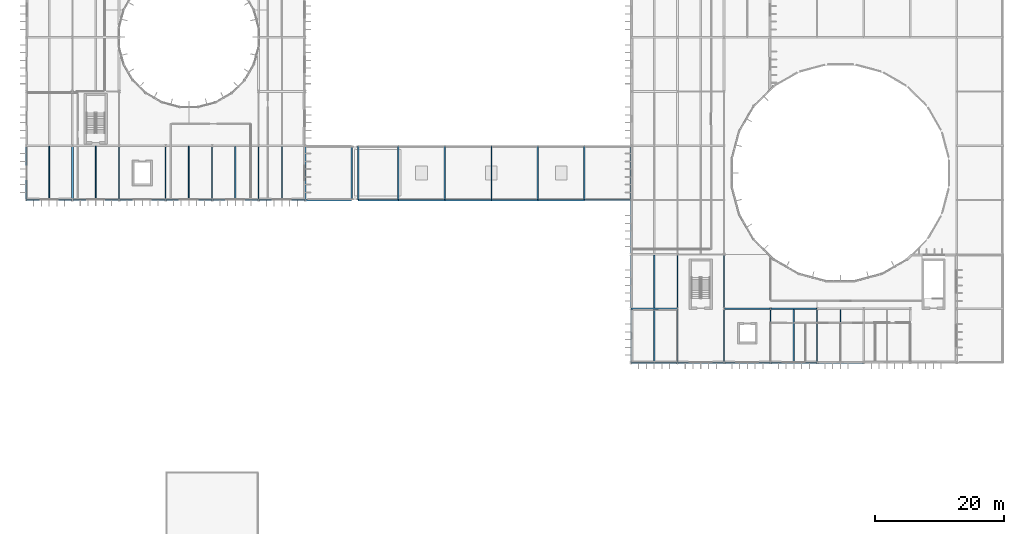
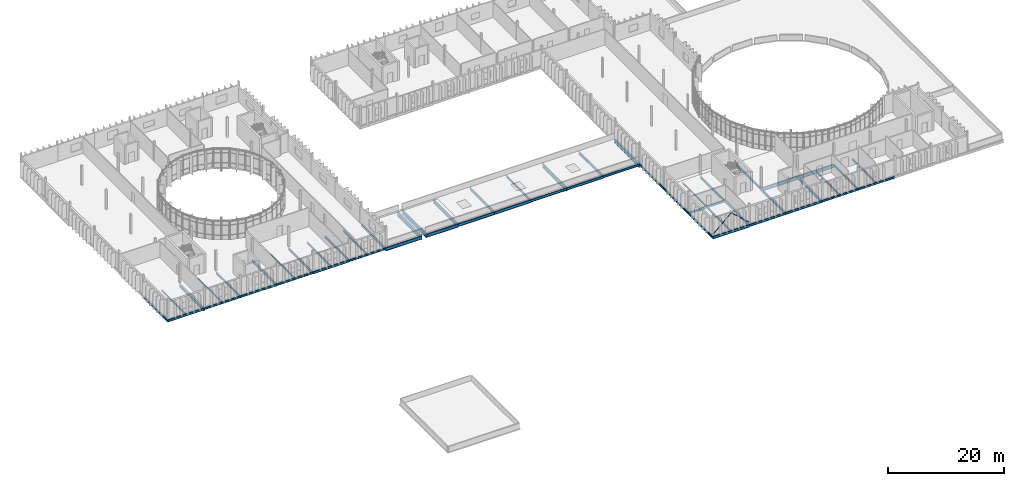
# One storey, part 16 of 61: 54 beams, 2 members.
"""IFC4 building model written with IfcOpenShell, lengths in metres."""

from ifc_helpers import new_model, si_unit, direction, frame, origin, origin_2d, place, context, subcontext, project, spatial, hollow_circle, i_section, extrude, material, material_profile, profile_set, type_object, element, save


model = new_model("IFC4")

# Units and contexts
model_context = context("Model", 3, precision=1e-05, world=origin(), true_north=direction((0.0, 1.0)))
body_context = subcontext(model_context, "Body", "Model", "MODEL_VIEW")
ifc_project = project(units=[si_unit("LENGTHUNIT", "METRE"), si_unit("AREAUNIT", "SQUARE_METRE"), si_unit("VOLUMEUNIT", "CUBIC_METRE"), si_unit("PLANEANGLEUNIT", "RADIAN"), si_unit("MASSUNIT", "GRAM", prefix="KILO")], contexts=[model_context])

# Site, building, storey
site_placement = place(None, origin())
site = spatial("IfcSite", under=ifc_project, at=site_placement, CompositionType="ELEMENT")
building_placement = place(site_placement, origin())
building = spatial("IfcBuilding", under=site, at=building_placement, Name="Qelthora Terrace Specialist Clinic", CompositionType="ELEMENT")
storey_placement = place(building_placement, frame((0.0, 0.0, 13.199951171875)))
storey = spatial("IfcBuildingStorey", under=building, at=storey_placement, Name="L03", CompositionType="ELEMENT", Elevation=13.199951171875)

# Beams
ifc_material = material(Name="Steel S355", Category="steel")
ifc_material_profile_1 = material_profile(ifc_material, i_section(OverallWidth=0.178955078125, OverallDepth=0.409912109375, WebThickness=0.0087890625, FlangeThickness=0.014404296875, FilletRadius=0.011962890625, at=origin_2d()), Name="W410X67")
ifc_profile_set_1 = profile_set([ifc_material_profile_1], Name="Steel S355")
beam_type_1 = type_object("IfcBeamType", Name="BM-W410X67", PredefinedType="BEAM", material=ifc_profile_set_1)
beam_1_placement = place(storey_placement, frame((122.39990234375, 33.60009765625, -0.454833984375), z_axis=(1.0, 0.0, 0.0), x_axis=(0.0, 1.0, 0.0)))
element("IfcBeam", 1, at=beam_1_placement, inside=storey, type_object=beam_type_1, Name="Girder BMX-L03-0920", PredefinedType="BEAM", context=body_context, shape_type="SweptSolid", body=[
    extrude(i_section(OverallWidth=0.178955078125, OverallDepth=0.409912109375, WebThickness=0.0087890625, FlangeThickness=0.014404296875, FilletRadius=0.011962890625, at=origin_2d()), origin(), (0.0, 0.0, 1.0), 7.2001953125),
])
for number, where, z_axis, x_axis, name in (
    (2, (93.60009765625, 42.0, -0.454833984375), (1.0, 0.0, 0.0), (0.0, 1.0, 0.0), "Girder BMX-L03-0924"),
    (3, (7.199951171875, 58.800048828125, -0.454833984375), (1.0, 0.0, 0.0), (0.0, 1.0, 0.0), "Girder BMX-L03-0934"),
    (4, (21.60009765625, 58.800048828125, -0.454833984375), (1.0, 0.0, 0.0), (0.0, 1.0, 0.0), "Girder BMX-L03-0936"),
    (5, (36.0, 58.800048828125, -0.454833984375), (1.0, 0.0, 0.0), (0.0, 1.0, 0.0), "Girder BMX-L03-0938"),
):
    element("IfcBeam", number, at=place(storey_placement, frame(where, z_axis=z_axis, x_axis=x_axis)), inside=storey, type_object=beam_type_1, Name=name, PredefinedType="BEAM", context=body_context, shape_type="SweptSolid", body=[
        extrude(i_section(OverallWidth=0.178955078125, OverallDepth=0.409912109375, WebThickness=0.0087890625, FlangeThickness=0.014404296875, FilletRadius=0.011962890625, at=origin_2d()), origin(), (0.0, 0.0, 1.0), 7.199951171875),
    ])
beam_2_placement = place(storey_placement, frame((93.60009765625, 50.39990234375, -0.454833984375), z_axis=(0.0, 1.0, 0.0), x_axis=(-1.0, 0.0, 0.0)))
element("IfcBeam", 6, at=beam_2_placement, inside=storey, type_object=beam_type_1, Name="Girder BMY-L03-1080", PredefinedType="BEAM", context=body_context, shape_type="SweptSolid", body=[
    extrude(i_section(OverallWidth=0.178955078125, OverallDepth=0.409912109375, WebThickness=0.0087890625, FlangeThickness=0.014404296875, FilletRadius=0.011962890625, at=origin_2d()), origin(), (0.0, 0.0, 1.0), 8.400146484375),
])
ifc_material_profile_2 = material_profile(ifc_material, i_section(OverallWidth=0.179931640625, OverallDepth=0.4130859375, WebThickness=0.009765625, FlangeThickness=0.01611328125, FilletRadius=0.011962890625, at=origin_2d()), Name="W410X75")
ifc_profile_set_2 = profile_set([ifc_material_profile_2], Name="Steel S355")
beam_type_2 = type_object("IfcBeamType", Name="BM-W410X75", PredefinedType="BEAM", material=ifc_profile_set_2)
beam_3_placement = place(storey_placement, frame((115.199951171875, 33.60009765625, -0.45654296875), z_axis=(1.0, 0.0, 0.0), x_axis=(0.0, 1.0, 0.0)))
element("IfcBeam", 7, at=beam_3_placement, inside=storey, type_object=beam_type_2, Name="Girder BMX-L03-0919", PredefinedType="BEAM", context=body_context, shape_type="SweptSolid", body=[
    extrude(i_section(OverallWidth=0.179931640625, OverallDepth=0.4130859375, WebThickness=0.009765625, FlangeThickness=0.01611328125, FilletRadius=0.011962890625, at=origin_2d()), origin(), (0.0, 0.0, 1.0), 7.199951171875),
])
beam_4_placement = place(storey_placement, frame((14.39990234375, 58.800048828125, -0.45654296875), z_axis=(1.0, 0.0, 0.0), x_axis=(0.0, 1.0, 0.0)))
element("IfcBeam", 8, at=beam_4_placement, inside=storey, type_object=beam_type_2, Name="Girder BMX-L03-0935", PredefinedType="BEAM", context=body_context, shape_type="SweptSolid", body=[
    extrude(i_section(OverallWidth=0.179931640625, OverallDepth=0.4130859375, WebThickness=0.009765625, FlangeThickness=0.01611328125, FilletRadius=0.011962890625, at=origin_2d()), origin(), (0.0, 0.0, 1.0), 7.2001953125),
])
for number, where, z_axis, x_axis, name in (
    (9, (14.39990234375, 58.800048828125, -0.45654296875), (0.0, 1.0, 0.0), (-1.0, 0.0, 0.0), "Girder BMY-L03-1039"),
    (10, (36.0, 58.800048828125, -0.45654296875), (0.0, 1.0, 0.0), (-1.0, 0.0, 0.0), "Girder BMY-L03-1049"),
    (11, (72.0, 58.800048828125, -0.45654296875), (0.0, 1.0, 0.0), (-1.0, 0.0, 0.0), "Girder BMY-L03-1069"),
    (12, (93.60009765625, 42.0, -0.45654296875), (0.0, 1.0, 0.0), (-1.0, 0.0, 0.0), "Girder BMY-L03-1079"),
    (13, (122.39990234375, 33.60009765625, -0.45654296875), (0.0, 1.0, 0.0), (-1.0, 0.0, 0.0), "Girder BMY-L03-1109"),
):
    element("IfcBeam", number, at=place(storey_placement, frame(where, z_axis=z_axis, x_axis=x_axis)), inside=storey, type_object=beam_type_2, Name=name, PredefinedType="BEAM", context=body_context, shape_type="SweptSolid", body=[
        extrude(i_section(OverallWidth=0.179931640625, OverallDepth=0.4130859375, WebThickness=0.009765625, FlangeThickness=0.01611328125, FilletRadius=0.011962890625, at=origin_2d()), origin(), (0.0, 0.0, 1.0), 8.39990234375),
    ])
ifc_material_profile_3 = material_profile(ifc_material, i_section(OverallWidth=0.19091796875, OverallDepth=0.4599609375, WebThickness=0.010009765625, FlangeThickness=0.01611328125, FilletRadius=0.012939453125, at=origin_2d()), Name="W460X82")
ifc_profile_set_3 = profile_set([ifc_material_profile_3], Name="Steel S355")
beam_type_3 = type_object("IfcBeamType", Name="BM-W460X82", PredefinedType="BEAM", material=ifc_profile_set_3)
for number, where, z_axis, x_axis, name in (
    (14, (108.0, 33.60009765625, -0.47998046875), (1.0, 0.0, 0.0), (0.0, 1.0, 0.0), "Girder BMX-L03-0918"),
    (15, (28.800048828125, 58.800048828125, -0.47998046875), (1.0, 0.0, 0.0), (0.0, 1.0, 0.0), "Girder BMX-L03-0937"),
):
    element("IfcBeam", number, at=place(storey_placement, frame(where, z_axis=z_axis, x_axis=x_axis)), inside=storey, type_object=beam_type_3, Name=name, PredefinedType="BEAM", context=body_context, shape_type="SweptSolid", body=[
        extrude(i_section(OverallWidth=0.19091796875, OverallDepth=0.4599609375, WebThickness=0.010009765625, FlangeThickness=0.01611328125, FilletRadius=0.012939453125, at=origin_2d()), origin(), (0.0, 0.0, 1.0), 7.199951171875),
    ])
for number, where, z_axis, x_axis, name in (
    (16, (93.60009765625, 33.60009765625, -0.47998046875), (0.0, 1.0, 0.0), (-1.0, 0.0, 0.0), "Girder BMY-L03-1078"),
    (17, (100.800048828125, 42.0, -0.47998046875), (0.0, 1.0, 0.0), (-1.0, 0.0, 0.0), "Girder BMY-L03-1088"),
):
    element("IfcBeam", number, at=place(storey_placement, frame(where, z_axis=z_axis, x_axis=x_axis)), inside=storey, type_object=beam_type_3, Name=name, PredefinedType="BEAM", context=body_context, shape_type="SweptSolid", body=[
        extrude(i_section(OverallWidth=0.19091796875, OverallDepth=0.4599609375, WebThickness=0.010009765625, FlangeThickness=0.01611328125, FilletRadius=0.012939453125, at=origin_2d()), origin(), (0.0, 0.0, 1.0), 8.39990234375),
    ])
ifc_material_profile_4 = material_profile(ifc_material, i_section(OverallWidth=0.193115234375, OverallDepth=0.466064453125, WebThickness=0.011474609375, FlangeThickness=0.01904296875, FilletRadius=0.012939453125, at=origin_2d()), Name="W460X97")
ifc_profile_set_4 = profile_set([ifc_material_profile_4], Name="Steel S355")
beam_type_4 = type_object("IfcBeamType", Name="BM-W460X97", PredefinedType="BEAM", material=ifc_profile_set_4)
beam_5_placement = place(storey_placement, frame((100.800048828125, 33.60009765625, -0.48291015625), z_axis=(1.0, 0.0, 0.0), x_axis=(0.0, 1.0, 0.0)))
element("IfcBeam", 18, at=beam_5_placement, inside=storey, type_object=beam_type_4, Name="Girder BMX-L03-0917", PredefinedType="BEAM", context=body_context, shape_type="SweptSolid", body=[
    extrude(i_section(OverallWidth=0.193115234375, OverallDepth=0.466064453125, WebThickness=0.011474609375, FlangeThickness=0.01904296875, FilletRadius=0.012939453125, at=origin_2d()), origin(), (0.0, 0.0, 1.0), 7.199951171875),
])
beam_6_placement = place(storey_placement, frame((86.39990234375, 58.800048828125, -0.48291015625), z_axis=(1.0, 0.0, 0.0), x_axis=(0.0, 1.0, 0.0)))
element("IfcBeam", 19, at=beam_6_placement, inside=storey, type_object=beam_type_4, Name="Girder BMX-L03-0945", PredefinedType="BEAM", context=body_context, shape_type="SweptSolid", body=[
    extrude(i_section(OverallWidth=0.193115234375, OverallDepth=0.466064453125, WebThickness=0.011474609375, FlangeThickness=0.01904296875, FilletRadius=0.012939453125, at=origin_2d()), origin(), (0.0, 0.0, 1.0), 7.2001953125),
])
for number, where, z_axis, x_axis, name in (
    (20, (0.0, 58.800048828125, -0.48291015625), (0.0, 1.0, 0.0), (-1.0, 0.0, 0.0), "Girder BMY-L03-1027"),
    (21, (28.800048828125, 58.800048828125, -0.48291015625), (0.0, 1.0, 0.0), (-1.0, 0.0, 0.0), "Girder BMY-L03-1047"),
    (22, (100.800048828125, 33.60009765625, -0.48291015625), (0.0, 1.0, 0.0), (-1.0, 0.0, 0.0), "Girder BMY-L03-1087"),
    (23, (108.0, 42.0, -0.48291015625), (0.0, 1.0, 0.0), (-1.0, 0.0, 0.0), "Girder BMY-L03-1097"),
):
    element("IfcBeam", number, at=place(storey_placement, frame(where, z_axis=z_axis, x_axis=x_axis)), inside=storey, type_object=beam_type_4, Name=name, PredefinedType="BEAM", context=body_context, shape_type="SweptSolid", body=[
        extrude(i_section(OverallWidth=0.193115234375, OverallDepth=0.466064453125, WebThickness=0.011474609375, FlangeThickness=0.01904296875, FilletRadius=0.012939453125, at=origin_2d()), origin(), (0.0, 0.0, 1.0), 8.39990234375),
    ])
ifc_material_profile_5 = material_profile(ifc_material, i_section(OverallWidth=0.2099609375, OverallDepth=0.537109375, WebThickness=0.010986328125, FlangeThickness=0.017333984375, FilletRadius=0.013916015625, at=origin_2d()), Name="W530X101")
ifc_profile_set_5 = profile_set([ifc_material_profile_5], Name="Steel S355")
beam_type_5 = type_object("IfcBeamType", Name="BM-W530X101", PredefinedType="BEAM", material=ifc_profile_set_5)
for number, where, z_axis, x_axis, name in (
    (24, (93.60009765625, 33.60009765625, -0.5185546875), (1.0, 0.0, 0.0), (0.0, 1.0, 0.0), "Girder BMX-L03-0916"),
    (25, (79.199951171875, 58.800048828125, -0.5185546875), (1.0, 0.0, 0.0), (0.0, 1.0, 0.0), "Girder BMX-L03-0944"),
):
    element("IfcBeam", number, at=place(storey_placement, frame(where, z_axis=z_axis, x_axis=x_axis)), inside=storey, type_object=beam_type_5, Name=name, PredefinedType="BEAM", context=body_context, shape_type="SweptSolid", body=[
        extrude(i_section(OverallWidth=0.2099609375, OverallDepth=0.537109375, WebThickness=0.010986328125, FlangeThickness=0.017333984375, FilletRadius=0.013916015625, at=origin_2d()), origin(), (0.0, 0.0, 1.0), 7.199951171875),
    ])
for number, where, z_axis, x_axis, name in (
    (26, (64.800048828125, 58.800048828125, -0.5185546875), (0.0, 1.0, 0.0), (-1.0, 0.0, 0.0), "Girder BMY-L03-1066"),
    (27, (108.0, 33.60009765625, -0.5185546875), (0.0, 1.0, 0.0), (-1.0, 0.0, 0.0), "Girder BMY-L03-1096"),
):
    element("IfcBeam", number, at=place(storey_placement, frame(where, z_axis=z_axis, x_axis=x_axis)), inside=storey, type_object=beam_type_5, Name=name, PredefinedType="BEAM", context=body_context, shape_type="SweptSolid", body=[
        extrude(i_section(OverallWidth=0.2099609375, OverallDepth=0.537109375, WebThickness=0.010986328125, FlangeThickness=0.017333984375, FilletRadius=0.013916015625, at=origin_2d()), origin(), (0.0, 0.0, 1.0), 8.39990234375),
    ])
ifc_material_profile_6 = material_profile(ifc_material, i_section(OverallWidth=0.2119140625, OverallDepth=0.5439453125, WebThickness=0.01318359375, FlangeThickness=0.021240234375, FilletRadius=0.013916015625, at=origin_2d()), Name="W530X123")
ifc_profile_set_6 = profile_set([ifc_material_profile_6], Name="Steel S355")
beam_type_6 = type_object("IfcBeamType", Name="BM-W530X123", PredefinedType="BEAM", material=ifc_profile_set_6)
beam_7_placement = place(storey_placement, frame((72.0, 58.800048828125, -0.52197265625), z_axis=(1.0, 0.0, 0.0), x_axis=(0.0, 1.0, 0.0)))
element("IfcBeam", 28, at=beam_7_placement, inside=storey, type_object=beam_type_6, Name="Girder BMX-L03-0943", PredefinedType="BEAM", context=body_context, shape_type="SweptSolid", body=[
    extrude(i_section(OverallWidth=0.2119140625, OverallDepth=0.5439453125, WebThickness=0.01318359375, FlangeThickness=0.021240234375, FilletRadius=0.013916015625, at=origin_2d()), origin(), (0.0, 0.0, 1.0), 7.199951171875),
])
for number, where, z_axis, x_axis, name in (
    (29, (21.60009765625, 58.800048828125, -0.52197265625), (0.0, 1.0, 0.0), (-1.0, 0.0, 0.0), "Girder BMY-L03-1045"),
    (30, (43.199951171875, 58.800048828125, -0.52197265625), (0.0, 1.0, 0.0), (-1.0, 0.0, 0.0), "Girder BMY-L03-1055"),
    (31, (86.39990234375, 58.800048828125, -0.52197265625), (0.0, 1.0, 0.0), (-1.0, 0.0, 0.0), "Girder BMY-L03-1075"),
    (32, (115.199951171875, 33.60009765625, -0.52197265625), (0.0, 1.0, 0.0), (-1.0, 0.0, 0.0), "Girder BMY-L03-1105"),
):
    element("IfcBeam", number, at=place(storey_placement, frame(where, z_axis=z_axis, x_axis=x_axis)), inside=storey, type_object=beam_type_6, Name=name, PredefinedType="BEAM", context=body_context, shape_type="SweptSolid", body=[
        extrude(i_section(OverallWidth=0.2119140625, OverallDepth=0.5439453125, WebThickness=0.01318359375, FlangeThickness=0.021240234375, FilletRadius=0.013916015625, at=origin_2d()), origin(), (0.0, 0.0, 1.0), 8.39990234375),
    ])
ifc_material_profile_7 = material_profile(ifc_material, i_section(OverallWidth=0.22900390625, OverallDepth=0.612060546875, WebThickness=0.011962890625, FlangeThickness=0.01953125, FilletRadius=0.01611328125, at=origin_2d()), Name="W610X125")
ifc_profile_set_7 = profile_set([ifc_material_profile_7], Name="Steel S355")
beam_type_7 = type_object("IfcBeamType", Name="BM-W610X125", PredefinedType="BEAM", material=ifc_profile_set_7)
beam_8_placement = place(storey_placement, frame((64.800048828125, 58.800048828125, -0.555908203125), z_axis=(1.0, 0.0, 0.0), x_axis=(0.0, 1.0, 0.0)))
element("IfcBeam", 33, at=beam_8_placement, inside=storey, type_object=beam_type_7, Name="Girder BMX-L03-0942", PredefinedType="BEAM", context=body_context, shape_type="SweptSolid", body=[
    extrude(i_section(OverallWidth=0.22900390625, OverallDepth=0.612060546875, WebThickness=0.011962890625, FlangeThickness=0.01953125, FilletRadius=0.01611328125, at=origin_2d()), origin(), (0.0, 0.0, 1.0), 7.199951171875),
])
ifc_material_profile_8 = material_profile(ifc_material, i_section(OverallWidth=0.22998046875, OverallDepth=0.616943359375, WebThickness=0.01318359375, FlangeThickness=0.022216796875, FilletRadius=0.01611328125, at=origin_2d()), Name="W610X140")
ifc_profile_set_8 = profile_set([ifc_material_profile_8], Name="Steel S355")
beam_type_8 = type_object("IfcBeamType", Name="BM-W610X140", PredefinedType="BEAM", material=ifc_profile_set_8)
beam_9_placement = place(storey_placement, frame((57.60009765625, 58.800048828125, -0.558349609375), z_axis=(1.0, 0.0, 0.0), x_axis=(0.0, 1.0, 0.0)))
element("IfcBeam", 34, at=beam_9_placement, inside=storey, type_object=beam_type_8, Name="Girder BMX-L03-0941", PredefinedType="BEAM", context=body_context, shape_type="SweptSolid", body=[
    extrude(i_section(OverallWidth=0.22998046875, OverallDepth=0.616943359375, WebThickness=0.01318359375, FlangeThickness=0.022216796875, FilletRadius=0.01611328125, at=origin_2d()), origin(), (0.0, 0.0, 1.0), 7.199951171875),
])
ifc_material_profile_9 = material_profile(ifc_material, i_section(OverallWidth=0.25390625, OverallDepth=0.68798828125, WebThickness=0.01318359375, FlangeThickness=0.02099609375, FilletRadius=0.01806640625, at=origin_2d()), Name="W690X152")
ifc_profile_set_9 = profile_set([ifc_material_profile_9], Name="Steel S355")
beam_type_9 = type_object("IfcBeamType", Name="BM-W690X152", PredefinedType="BEAM", material=ifc_profile_set_9)
beam_10_placement = place(storey_placement, frame((115.199951171875, 42.0, -0.593994140625), z_axis=(1.0, 0.0, 0.0), x_axis=(0.0, 1.0, 0.0)))
element("IfcBeam", 35, at=beam_10_placement, inside=storey, type_object=beam_type_9, Name="Girder BMX-L03-0926", PredefinedType="BEAM", context=body_context, shape_type="SweptSolid", body=[
    extrude(i_section(OverallWidth=0.25390625, OverallDepth=0.68798828125, WebThickness=0.01318359375, FlangeThickness=0.02099609375, FilletRadius=0.01806640625, at=origin_2d()), origin(), (0.0, 0.0, 1.0), 7.199951171875),
])
beam_11_placement = place(storey_placement, frame((51.39990234375, 58.800048828125, -0.593994140625), z_axis=(1.0, 0.0, 0.0), x_axis=(0.0, 1.0, 0.0)))
element("IfcBeam", 36, at=beam_11_placement, inside=storey, type_object=beam_type_9, Name="Girder BMX-L03-0940", PredefinedType="BEAM", context=body_context, shape_type="SweptSolid", body=[
    extrude(i_section(OverallWidth=0.25390625, OverallDepth=0.68798828125, WebThickness=0.01318359375, FlangeThickness=0.02099609375, FilletRadius=0.01806640625, at=origin_2d()), origin(), (0.0, 0.0, 1.0), 6.2001953125),
])
ifc_material_profile_10 = material_profile(ifc_material, i_section(OverallWidth=0.256103515625, OverallDepth=0.693115234375, WebThickness=0.014404296875, FlangeThickness=0.023681640625, FilletRadius=0.01806640625, at=origin_2d()), Name="W690X170")
ifc_profile_set_10 = profile_set([ifc_material_profile_10], Name="Steel S355")
beam_type_10 = type_object("IfcBeamType", Name="BM-W690X170", PredefinedType="BEAM", material=ifc_profile_set_10)
for number, where, z_axis, x_axis, name in (
    (37, (108.0, 42.0, -0.596435546875), (1.0, 0.0, 0.0), (0.0, 1.0, 0.0), "Girder BMX-L03-0925"),
    (38, (43.199951171875, 58.800048828125, -0.596435546875), (1.0, 0.0, 0.0), (0.0, 1.0, 0.0), "Girder BMX-L03-0939"),
):
    element("IfcBeam", number, at=place(storey_placement, frame(where, z_axis=z_axis, x_axis=x_axis)), inside=storey, type_object=beam_type_10, Name=name, PredefinedType="BEAM", context=body_context, shape_type="SweptSolid", body=[
        extrude(i_section(OverallWidth=0.256103515625, OverallDepth=0.693115234375, WebThickness=0.014404296875, FlangeThickness=0.023681640625, FilletRadius=0.01806640625, at=origin_2d()), origin(), (0.0, 0.0, 1.0), 7.199951171875),
    ])
for number, where, z_axis, x_axis, name in (
    (39, (7.199951171875, 58.800048828125, -0.596435546875), (0.0, 1.0, 0.0), (-1.0, 0.0, 0.0), "Girder BMY-L03-1033"),
    (40, (57.60009765625, 58.800048828125, -0.596435546875), (0.0, 1.0, 0.0), (-1.0, 0.0, 0.0), "Girder BMY-L03-1063"),
):
    element("IfcBeam", number, at=place(storey_placement, frame(where, z_axis=z_axis, x_axis=x_axis)), inside=storey, type_object=beam_type_10, Name=name, PredefinedType="BEAM", context=body_context, shape_type="SweptSolid", body=[
        extrude(i_section(OverallWidth=0.256103515625, OverallDepth=0.693115234375, WebThickness=0.014404296875, FlangeThickness=0.023681640625, FilletRadius=0.01806640625, at=origin_2d()), origin(), (0.0, 0.0, 1.0), 8.39990234375),
    ])
ifc_material_profile_11 = material_profile(ifc_material, i_section(OverallWidth=0.26806640625, OverallDepth=0.77001953125, WebThickness=0.015625, FlangeThickness=0.025390625, FilletRadius=0.01904296875, at=origin_2d()), Name="W760X196")
ifc_profile_set_11 = profile_set([ifc_material_profile_11], Name="Steel S355")
beam_type_11 = type_object("IfcBeamType", Name="BM-W760X196", PredefinedType="BEAM", material=ifc_profile_set_11)
for number, where, z_axis, x_axis, name in (
    (41, (51.39990234375, 58.800048828125, -0.635009765625), (0.0, 1.0, 0.0), (-1.0, 0.0, 0.0), "Girder BMY-L03-1062"),
    (42, (79.199951171875, 58.800048828125, -0.635009765625), (0.0, 1.0, 0.0), (-1.0, 0.0, 0.0), "Girder BMY-L03-1072"),
):
    element("IfcBeam", number, at=place(storey_placement, frame(where, z_axis=z_axis, x_axis=x_axis)), inside=storey, type_object=beam_type_11, Name=name, PredefinedType="BEAM", context=body_context, shape_type="SweptSolid", body=[
        extrude(i_section(OverallWidth=0.26806640625, OverallDepth=0.77001953125, WebThickness=0.015625, FlangeThickness=0.025390625, FilletRadius=0.01904296875, at=origin_2d()), origin(), (0.0, 0.0, 1.0), 8.39990234375),
    ])
ifc_material_profile_12 = material_profile(ifc_material, i_section(OverallWidth=0.2939453125, OverallDepth=0.85107421875, WebThickness=0.01611328125, FlangeThickness=0.02685546875, FilletRadius=0.02001953125, at=origin_2d()), Name="W840X226")
ifc_profile_set_12 = profile_set([ifc_material_profile_12], Name="Steel S355")
beam_type_12 = type_object("IfcBeamType", Name="BM-W840X226", PredefinedType="BEAM", material=ifc_profile_set_12)
for number, where, z_axis, x_axis, name in (
    (43, (50.39990234375, 58.800048828125, -0.675537109375), (0.0, 1.0, 0.0), (-1.0, 0.0, 0.0), "Girder BMY-L03-1061"),
    (44, (93.60009765625, 58.800048828125, -0.675537109375), (0.0, 1.0, 0.0), (-1.0, 0.0, 0.0), "Girder BMY-L03-1081"),
):
    element("IfcBeam", number, at=place(storey_placement, frame(where, z_axis=z_axis, x_axis=x_axis)), inside=storey, type_object=beam_type_12, Name=name, PredefinedType="BEAM", context=body_context, shape_type="SweptSolid", body=[
        extrude(i_section(OverallWidth=0.2939453125, OverallDepth=0.85107421875, WebThickness=0.01611328125, FlangeThickness=0.02685546875, FilletRadius=0.02001953125, at=origin_2d()), origin(), (0.0, 0.0, 1.0), 8.39990234375),
    ])
ifc_material_profile_13 = material_profile(ifc_material, i_section(OverallWidth=0.14599609375, OverallDepth=0.258056640625, WebThickness=0.006103515625, FlangeThickness=0.009033203125, FilletRadius=0.009033203125, at=origin_2d()), Name="W250X33")
ifc_profile_set_13 = profile_set([ifc_material_profile_13], Name="Steel S355")
beam_type_13 = type_object("IfcBeamType", Name="JST-W250X33", PredefinedType="JOIST", material=ifc_profile_set_13)
beam_12_placement = place(storey_placement, frame((3.60009765625, 58.8955078125, -0.37890625), z_axis=(0.0, 1.0, 0.0), x_axis=(-1.0, 0.0, 0.0)))
element("IfcBeam", 45, at=beam_12_placement, inside=storey, type_object=beam_type_13, Name="Composite floor joist JST-L03-0216", PredefinedType="JOIST", context=body_context, shape_type="SweptSolid", body=[
    extrude(i_section(OverallWidth=0.14599609375, OverallDepth=0.258056640625, WebThickness=0.006103515625, FlangeThickness=0.009033203125, FilletRadius=0.009033203125, at=origin_2d()), origin(), (0.0, 0.0, 1.0), 8.208984375),
])
beam_13_placement = place(storey_placement, frame((10.800048828125, 58.889404296875, -0.37890625), z_axis=(0.0, 1.0, 0.0), x_axis=(-1.0, 0.0, 0.0)))
element("IfcBeam", 46, at=beam_13_placement, inside=storey, type_object=beam_type_13, Name="Composite floor joist JST-L03-0222", PredefinedType="JOIST", context=body_context, shape_type="SweptSolid", body=[
    extrude(i_section(OverallWidth=0.14599609375, OverallDepth=0.258056640625, WebThickness=0.006103515625, FlangeThickness=0.009033203125, FilletRadius=0.009033203125, at=origin_2d()), origin(), (0.0, 0.0, 1.0), 8.22119140625),
])
ifc_material_profile_14 = material_profile(ifc_material, i_section(OverallWidth=0.14697265625, OverallDepth=0.261962890625, WebThickness=0.006591796875, FlangeThickness=0.01123046875, FilletRadius=0.009033203125, at=origin_2d()), Name="W250X39")
ifc_profile_set_14 = profile_set([ifc_material_profile_14], Name="Steel S355")
beam_type_14 = type_object("IfcBeamType", Name="JST-W250X39", PredefinedType="JOIST", material=ifc_profile_set_14)
beam_14_placement = place(storey_placement, frame((25.199951171875, 58.889404296875, -0.380859375), z_axis=(0.0, 1.0, 0.0), x_axis=(-1.0, 0.0, 0.0)))
element("IfcBeam", 47, at=beam_14_placement, inside=storey, type_object=beam_type_14, Name="Composite floor joist JST-L03-0227", PredefinedType="JOIST", context=body_context, shape_type="SweptSolid", body=[
    extrude(i_section(OverallWidth=0.14697265625, OverallDepth=0.261962890625, WebThickness=0.006591796875, FlangeThickness=0.01123046875, FilletRadius=0.009033203125, at=origin_2d()), origin(), (0.0, 0.0, 1.0), 8.22119140625),
])
ifc_material_profile_15 = material_profile(ifc_material, i_section(OverallWidth=0.1669921875, OverallDepth=0.31689453125, WebThickness=0.007568359375, FlangeThickness=0.01318359375, FilletRadius=0.010009765625, at=origin_2d()), Name="W310X52")
ifc_profile_set_15 = profile_set([ifc_material_profile_15], Name="Steel S355")
beam_type_15 = type_object("IfcBeamType", Name="JST-W310X52", PredefinedType="JOIST", material=ifc_profile_set_15)
beam_15_placement = place(storey_placement, frame((97.199951171875, 42.089599609375, -0.408447265625), z_axis=(0.0, 1.0, 0.0), x_axis=(-1.0, 0.0, 0.0)))
element("IfcBeam", 48, at=beam_15_placement, inside=storey, type_object=beam_type_15, Name="Composite floor joist JST-L03-0243", PredefinedType="JOIST", context=body_context, shape_type="SweptSolid", body=[
    extrude(i_section(OverallWidth=0.1669921875, OverallDepth=0.31689453125, WebThickness=0.007568359375, FlangeThickness=0.01318359375, FilletRadius=0.010009765625, at=origin_2d()), origin(), (0.0, 0.0, 1.0), 8.205322265625),
])
ifc_material_profile_16 = material_profile(ifc_material, i_section(OverallWidth=0.172119140625, OverallDepth=0.35791015625, WebThickness=0.0078125, FlangeThickness=0.01318359375, FilletRadius=0.010986328125, at=origin_2d()), Name="W360X57")
ifc_profile_set_16 = profile_set([ifc_material_profile_16], Name="Steel S355")
beam_type_16 = type_object("IfcBeamType", Name="JST-W360X57", PredefinedType="JOIST", material=ifc_profile_set_16)
beam_16_placement = place(storey_placement, frame((39.60009765625, 58.889404296875, -0.428955078125), z_axis=(0.0, 1.0, 0.0), x_axis=(-1.0, 0.0, 0.0)))
element("IfcBeam", 49, at=beam_16_placement, inside=storey, type_object=beam_type_16, Name="Composite floor joist JST-L03-0230", PredefinedType="JOIST", context=body_context, shape_type="SweptSolid", body=[
    extrude(i_section(OverallWidth=0.172119140625, OverallDepth=0.35791015625, WebThickness=0.0078125, FlangeThickness=0.01318359375, FilletRadius=0.010986328125, at=origin_2d()), origin(), (0.0, 0.0, 1.0), 8.18359375),
])
beam_17_placement = place(storey_placement, frame((97.199951171875, 33.705078125, -0.428955078125), z_axis=(0.0, 1.0, 0.0), x_axis=(-1.0, 0.0, 0.0)))
element("IfcBeam", 50, at=beam_17_placement, inside=storey, type_object=beam_type_16, Name="Composite floor joist JST-L03-0242", PredefinedType="JOIST", context=body_context, shape_type="SweptSolid", body=[
    extrude(i_section(OverallWidth=0.172119140625, OverallDepth=0.35791015625, WebThickness=0.0078125, FlangeThickness=0.01318359375, FilletRadius=0.010986328125, at=origin_2d()), origin(), (0.0, 0.0, 1.0), 8.205322265625),
])
beam_18_placement = place(storey_placement, frame((126.0, 33.689453125, -0.428955078125), z_axis=(0.0, 1.0, 0.0), x_axis=(-1.0, 0.0, 0.0)))
element("IfcBeam", 51, at=beam_18_placement, inside=storey, type_object=beam_type_16, Name="Composite floor joist JST-L03-0260", PredefinedType="JOIST", context=body_context, shape_type="SweptSolid", body=[
    extrude(i_section(OverallWidth=0.172119140625, OverallDepth=0.35791015625, WebThickness=0.0078125, FlangeThickness=0.01318359375, FilletRadius=0.010986328125, at=origin_2d()), origin(), (0.0, 0.0, 1.0), 8.195556640625),
])
ifc_material_profile_17 = material_profile(ifc_material, i_section(OverallWidth=0.202880859375, OverallDepth=0.346923828125, WebThickness=0.0078125, FlangeThickness=0.013427734375, FilletRadius=0.010986328125, at=origin_2d()), Name="W360X64")
ifc_profile_set_17 = profile_set([ifc_material_profile_17], Name="Steel S355")
beam_type_17 = type_object("IfcBeamType", Name="JST-W360X64", PredefinedType="JOIST", material=ifc_profile_set_17)
beam_19_placement = place(storey_placement, frame((32.39990234375, 58.8955078125, -0.42333984375), z_axis=(0.0, 1.0, 0.0), x_axis=(-1.0, 0.0, 0.0)))
element("IfcBeam", 52, at=beam_19_placement, inside=storey, type_object=beam_type_17, Name="Composite floor joist JST-L03-0229", PredefinedType="JOIST", context=body_context, shape_type="SweptSolid", body=[
    extrude(i_section(OverallWidth=0.202880859375, OverallDepth=0.346923828125, WebThickness=0.0078125, FlangeThickness=0.013427734375, FilletRadius=0.010986328125, at=origin_2d()), origin(), (0.0, 0.0, 1.0), 8.176513671875),
])
beam_20_placement = place(storey_placement, frame((118.800048828125, 33.68994140625, -0.42333984375), z_axis=(0.0, 1.0, 0.0), x_axis=(-1.0, 0.0, 0.0)))
element("IfcBeam", 53, at=beam_20_placement, inside=storey, type_object=beam_type_17, Name="Composite floor joist JST-L03-0259", PredefinedType="JOIST", context=body_context, shape_type="SweptSolid", body=[
    extrude(i_section(OverallWidth=0.202880859375, OverallDepth=0.346923828125, WebThickness=0.0078125, FlangeThickness=0.013427734375, FilletRadius=0.010986328125, at=origin_2d()), origin(), (0.0, 0.0, 1.0), 8.18310546875),
])

# Members
ifc_material_profile_18 = material_profile(ifc_material, hollow_circle(Radius=0.083984375, WallThickness=0.008056640625, at=origin_2d()), Name="CHS168X8")
ifc_profile_set_18 = profile_set([ifc_material_profile_18], Name="Steel S355")
member_type = type_object("IfcMemberType", Name="MEM-BRACE-CHS168", PredefinedType="BRACE", material=ifc_profile_set_18)
member_1_placement = place(storey_placement, frame((93.60009765625, 33.60009765625, 0.179931640625), z_axis=(0.740203511447, 0.0, 0.672382898089), x_axis=(0.0, 1.0, 0.0)))
element("IfcMember", 54, at=member_1_placement, inside=storey, type_object=member_type, Name="Concentric seismic chevron brace B8-L03A", PredefinedType="BRACE", context=body_context, shape_type="SweptSolid", body=[
    extrude(hollow_circle(Radius=0.083984375, WallThickness=0.008056640625, at=origin_2d()), origin(), (0.0, 0.0, 1.0), 4.86328125),
])
member_2_placement = place(storey_placement, frame((100.800048828125, 33.60009765625, 0.179931640625), z_axis=(-0.740226205678, 0.0, 0.672357913933), x_axis=(0.0, -1.0, 0.0)))
element("IfcMember", 55, at=member_2_placement, inside=storey, type_object=member_type, Name="Concentric seismic chevron brace B8-L03B", PredefinedType="BRACE", context=body_context, shape_type="SweptSolid", body=[
    extrude(hollow_circle(Radius=0.083984375, WallThickness=0.008056640625, at=origin_2d()), origin(), (0.0, 0.0, 1.0), 4.863525390625),
])

# Beam
ifc_material_profile_19 = material_profile(ifc_material, i_section(OverallWidth=0.19091796875, OverallDepth=0.4599609375, WebThickness=0.010009765625, FlangeThickness=0.01611328125, FilletRadius=0.012939453125, at=origin_2d()), Name="W460X82")
ifc_profile_set_19 = profile_set([ifc_material_profile_19], Name="Steel S355")
beam_type_18 = type_object("IfcBeamType", Name="SPD-W460X82", PredefinedType="SPANDREL", material=ifc_profile_set_19)
beam_21_placement = place(storey_placement, frame((0.0, 58.800048828125, -0.47998046875), z_axis=(1.0, 0.0, 0.0), x_axis=(0.0, 1.0, 0.0)))
element("IfcBeam", 56, at=beam_21_placement, inside=storey, type_object=beam_type_18, Name="Girder BMX-L03-0933", PredefinedType="SPANDREL", context=body_context, shape_type="SweptSolid", body=[
    extrude(i_section(OverallWidth=0.19091796875, OverallDepth=0.4599609375, WebThickness=0.010009765625, FlangeThickness=0.01611328125, FilletRadius=0.012939453125, at=origin_2d()), origin(), (0.0, 0.0, 1.0), 7.199951171875),
])

save(model, "model.ifc")
